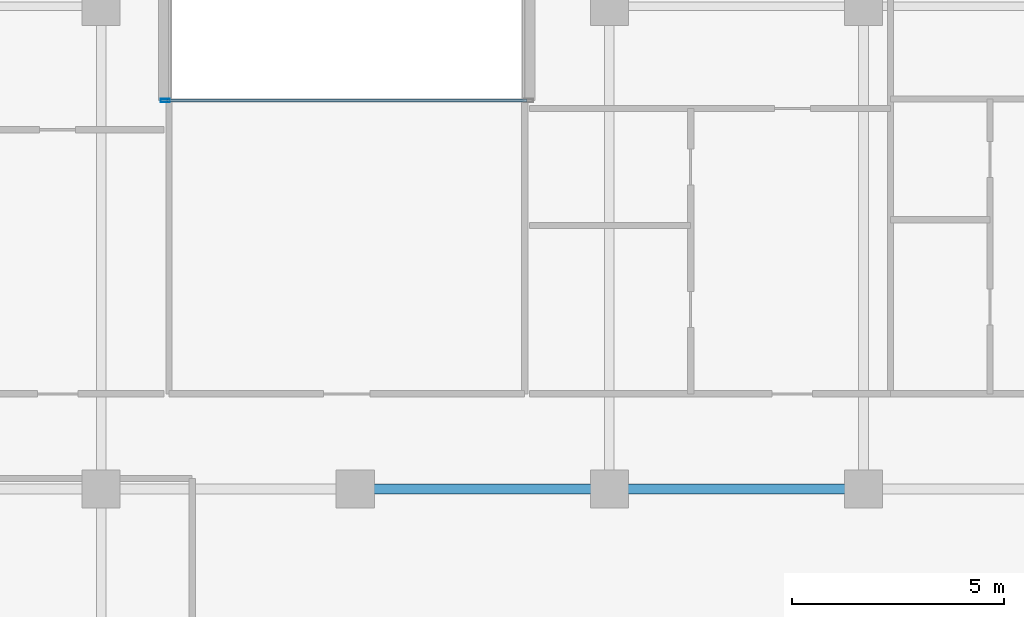
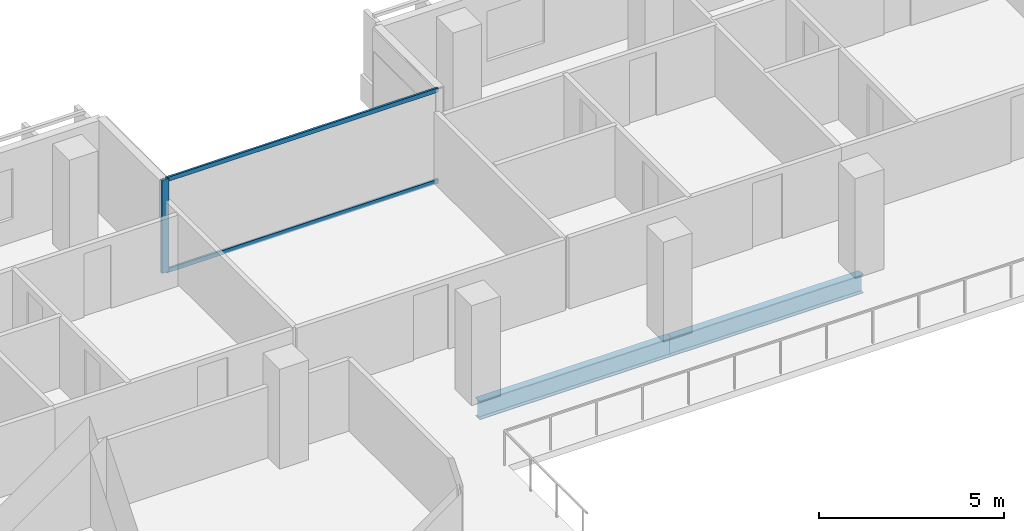
# One storey, part 6 of 21: 3 members, 2 beams, 1 element without a shape of its own.
"""IFC4 building model written with IfcOpenShell, lengths in metres."""

from ifc_helpers import new_model, si_unit, direction, frame, origin, origin_2d, place, context, subcontext, project, spatial, hollow_rectangle, i_section, extrude, material, layer, layer_set, material_profile, profile_set, type_object, element, aggregate, save


model = new_model("IFC4")

# Units and contexts
model_context = context("Model", 3, precision=1e-05, world=origin(), true_north=direction((0.0, 1.0)))
body_context = subcontext(model_context, "Body", "Model", "MODEL_VIEW")
ifc_project = project(units=[si_unit("LENGTHUNIT", "METRE"), si_unit("AREAUNIT", "SQUARE_METRE"), si_unit("VOLUMEUNIT", "CUBIC_METRE"), si_unit("PLANEANGLEUNIT", "RADIAN"), si_unit("MASSUNIT", "GRAM", prefix="KILO")], contexts=[model_context])

# Site, building, storey
site_placement = place(None, origin())
site = spatial("IfcSite", under=ifc_project, at=site_placement, CompositionType="ELEMENT")
building_placement = place(site_placement, origin())
building = spatial("IfcBuilding", under=site, at=building_placement, Name="Tanjung Sevakor Pilgrim Tower", CompositionType="ELEMENT")
storey_placement = place(building_placement, frame((0.0, 0.0, 145.199951171875)))
storey = spatial("IfcBuildingStorey", under=building, at=storey_placement, Name="L40", CompositionType="ELEMENT", Elevation=145.199951171875)

# Beams
ifc_material_1 = material(Name="Steel S355J2", Category="steel")
ifc_material_profile_1 = material_profile(ifc_material_1, i_section(OverallWidth=0.230224609375, OverallDepth=0.6171875, WebThickness=0.01318359375, FlangeThickness=0.022216796875, FilletRadius=0.0126953125, at=origin_2d()))
ifc_profile_set_1 = profile_set([ifc_material_profile_1], Name="Steel S355J2")
beam_type = type_object("IfcBeamType", Name="BM-B-G3-UB_610x229x140", PredefinedType="BEAM", material=ifc_profile_set_1)
for number, where, z_axis, x_axis, name in (
    (1, (48.0, 42.60009765625, -0.528564453125), (1.0, 0.0, 0.0), (0.0, 1.0, 0.0), "L40 Primary Floor Girder MAIN Y426-03"),
    (2, (54.0, 42.60009765625, -0.528564453125), (1.0, 0.0, 0.0), (0.0, 1.0, 0.0), "L40 Primary Floor Girder MAIN Y426-04"),
):
    element("IfcBeam", number, at=place(storey_placement, frame(where, z_axis=z_axis, x_axis=x_axis)), inside=storey, type_object=beam_type, Name=name, PredefinedType="BEAM", context=body_context, shape_type="SweptSolid", body=[
        extrude(i_section(OverallWidth=0.230224609375, OverallDepth=0.6171875, WebThickness=0.01318359375, FlangeThickness=0.022216796875, FilletRadius=0.0126953125, at=origin_2d()), origin(), (0.0, 0.0, 1.0), 6.0),
    ])

# Curtain wall, members
ifc_material_2 = material(Name="Aluminium 6063-T6 and Low-E Glass", Category="aluminium")
ifc_layer = layer(ifc_material_2, 0.179931640625)
ifc_layer_set = layer_set([ifc_layer], Name="CW-SYS-CLEFT")
curtain_wall_type = type_object("IfcCurtainWallType", Name="CW-SYS-CLEFT", PredefinedType="NOTDEFINED", material=ifc_layer_set)
curtain_wall_placement = place(storey_placement, origin())
curtain_wall = element("IfcCurtainWall", 3, at=curtain_wall_placement, inside=storey, type_object=curtain_wall_type, Name="L40 Curtain Wall CW-CLF-L40-10", PredefinedType="NOTDEFINED")
ifc_material_3 = material(Name="Aluminium 6063-T6", Category="aluminium")
ifc_material_profile_2 = material_profile(ifc_material_3, hollow_rectangle(XDim=0.074951171875, YDim=0.219970703125, WallThickness=0.0048828125, at=origin_2d()))
ifc_profile_set_2 = profile_set([ifc_material_profile_2], Name="Aluminium 6063-T6")
member_type_1 = type_object("IfcMemberType", Name="TYPE-CWM-2", PredefinedType="MULLION", material=ifc_profile_set_2)
member_1_placement = place(storey_placement, frame((43.512451171875, 51.77490234375, 0.0), z_axis=(0.0, 0.0, 1.0), x_axis=(0.0, -1.0, 0.0)))
member_1 = element("IfcMember", 4, at=member_1_placement, type_object=member_type_1, Name="CW-CLF mullion 2", PredefinedType="MULLION", context=body_context, shape_type="SweptSolid", body=[
    extrude(hollow_rectangle(XDim=0.074951171875, YDim=0.219970703125, WallThickness=0.0048828125, at=origin_2d()), origin(), (0.0, 0.0, 1.0), 3.080078125),
])
ifc_material_4 = material(Name="Aluminium 6063-T6", Category="aluminium")
ifc_material_profile_3 = material_profile(ifc_material_4, hollow_rectangle(XDim=0.06494140625, YDim=0.139892578125, WallThickness=0.00390625, at=origin_2d()))
ifc_profile_set_3 = profile_set([ifc_material_profile_3], Name="Aluminium 6063-T6")
member_type_2 = type_object("IfcMemberType", Name="TYPE-CWT-1", PredefinedType="USERDEFINED", material=ifc_profile_set_3)
member_2_placement = place(storey_placement, frame((52.050048828125, 51.77490234375, 0.032470703125), z_axis=(-1.0, 0.0, 0.0), x_axis=(0.0, -1.0, 0.0)))
member_2 = element("IfcMember", 5, at=member_2_placement, type_object=member_type_2, Name="CW-CLF transom 1.1", ObjectType="TRANSOM", PredefinedType="USERDEFINED", context=body_context, shape_type="SweptSolid", body=[
    extrude(hollow_rectangle(XDim=0.06494140625, YDim=0.139892578125, WallThickness=0.00390625, at=origin_2d()), origin(), (0.0, 0.0, 1.0), 8.5),
])
member_3_placement = place(storey_placement, frame((52.050048828125, 51.77490234375, 3.047607421875), z_axis=(-1.0, 0.0, 0.0), x_axis=(0.0, -1.0, 0.0)))
member_3 = element("IfcMember", 6, at=member_3_placement, type_object=member_type_2, Name="CW-CLF transom 1.2", ObjectType="TRANSOM", PredefinedType="USERDEFINED", context=body_context, shape_type="SweptSolid", body=[
    extrude(hollow_rectangle(XDim=0.06494140625, YDim=0.139892578125, WallThickness=0.00390625, at=origin_2d()), origin(), (0.0, 0.0, 1.0), 8.5),
])
aggregate(curtain_wall, [member_1, member_2, member_3])

save(model, "model.ifc")
